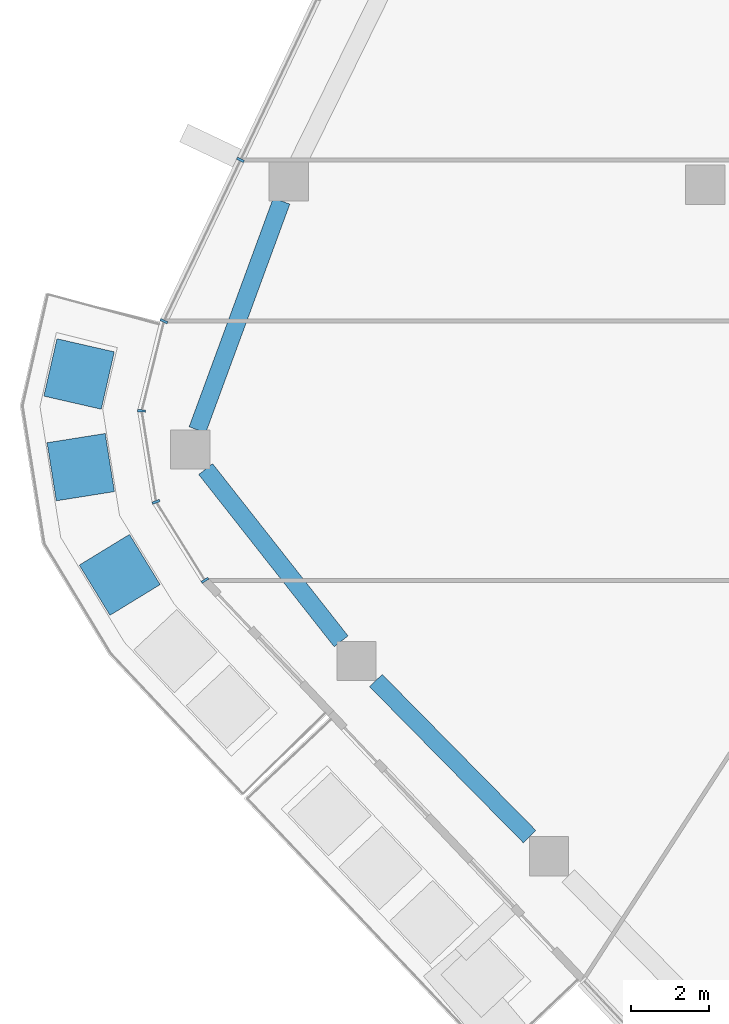
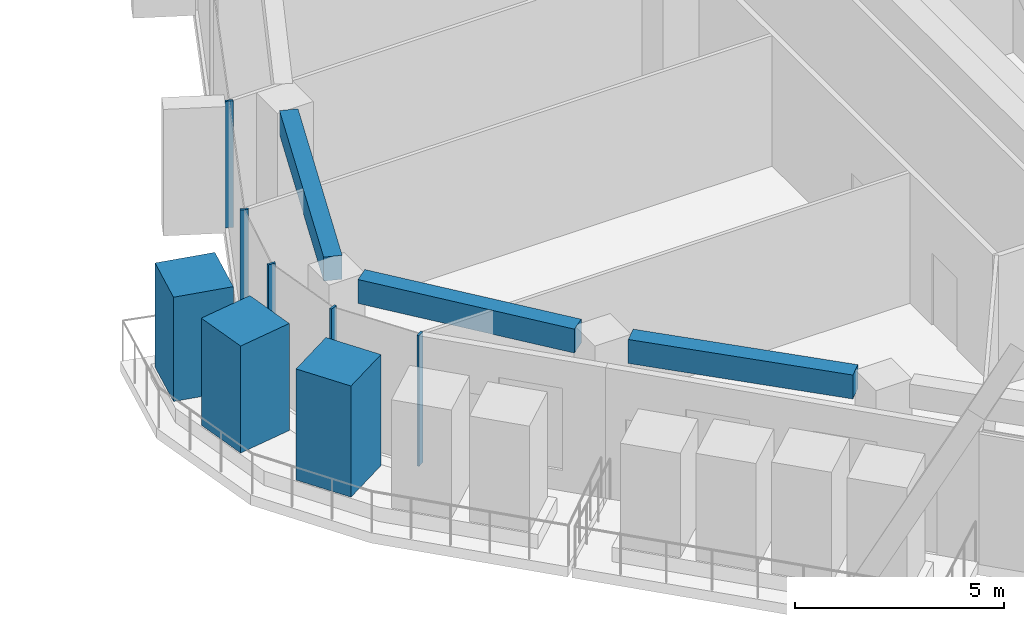
# One storey, part 3 of 24: 8 members, 3 beams, 2 elements without a shape of their own.
"""IFC4 building model written with IfcOpenShell, lengths in metres."""

from ifc_helpers import new_model, si_unit, direction, frame, origin, origin_2d, place, context, subcontext, project, spatial, rectangle, extrude, material, layer, layer_set, material_profile, profile_set, type_object, element, aggregate, save


model = new_model("IFC4")

# Units and contexts
model_context = context("Model", 3, precision=1e-05, world=origin(), true_north=direction((0.0, 1.0)))
body_context = subcontext(model_context, "Body", "Model", "MODEL_VIEW")
ifc_project = project(units=[si_unit("LENGTHUNIT", "METRE"), si_unit("AREAUNIT", "SQUARE_METRE"), si_unit("VOLUMEUNIT", "CUBIC_METRE"), si_unit("PLANEANGLEUNIT", "RADIAN"), si_unit("MASSUNIT", "GRAM", prefix="KILO")], contexts=[model_context])

# Site, building, storey
site_placement = place(None, origin())
site = spatial("IfcSite", under=ifc_project, at=site_placement, CompositionType="ELEMENT")
building_placement = place(site_placement, origin())
building = spatial("IfcBuilding", under=site, at=building_placement, Name="Dongbaek Canopy Tower", CompositionType="ELEMENT")
storey_placement = place(building_placement, frame((0.0, 0.0, 298.39990234375)))
storey = spatial("IfcBuildingStorey", under=building, at=storey_placement, Name="L63", CompositionType="ELEMENT", Elevation=298.39990234375)

# Curtain wall, members
ifc_material_1 = material(Name="Aluminium 6063-T6 pale anodised", Category="aluminium")
ifc_layer = layer(ifc_material_1, 0.199951171875)
ifc_layer_set = layer_set([ifc_layer], Name="CW-1 unitised tower curtain wall")
curtain_wall_type = type_object("IfcCurtainWallType", Name="CW-1 unitised tower curtain wall", PredefinedType="NOTDEFINED", material=ifc_layer_set)
curtain_wall_1_placement = place(storey_placement, origin())
curtain_wall_1 = element("IfcCurtainWall", 1, at=curtain_wall_1_placement, inside=storey, type_object=curtain_wall_type, Name="CW-1 curtain wall F2.1", PredefinedType="NOTDEFINED")
ifc_material_2 = material(Name="Aluminium 6063-T6 pale anodised", Category="aluminium")
ifc_material_profile_1 = material_profile(ifc_material_2, rectangle(XDim=0.199951171875, YDim=0.06005859375, at=origin_2d()), Name="CW-1 mullion 60 x 200")
ifc_profile_set_1 = profile_set([ifc_material_profile_1], Name="Aluminium 6063-T6 pale anodised")
member_type_1 = type_object("IfcMemberType", Name="CW-1 mullion 60 x 200", PredefinedType="MULLION", material=ifc_profile_set_1)
member_1_placement = place(storey_placement, frame((-29.84619140625, 0.635498046875, 0.1201171875), z_axis=(0.0, 0.0, 1.0), x_axis=(-0.903236413866, 0.429143310174, 0.0)))
member_1 = element("IfcMember", 2, at=member_1_placement, type_object=member_type_1, Name="CW-1 mullion F2.1.7", PredefinedType="MULLION", context=body_context, shape_type="SweptSolid", body=[
    extrude(rectangle(XDim=0.199951171875, YDim=0.06005859375, at=origin_2d()), origin(), (0.0, 0.0, 1.0), 3.699951171875),
])
member_2_placement = place(storey_placement, frame((-31.79931640625, -3.47509765625, 0.1201171875), z_axis=(0.0, 0.0, 1.0), x_axis=(-0.903236413866, 0.429143310174, 0.0)))
member_2 = element("IfcMember", 3, at=member_2_placement, type_object=member_type_1, Name="CW-1 mullion F2.1.8", PredefinedType="MULLION", context=body_context, shape_type="SweptSolid", body=[
    extrude(rectangle(XDim=0.199951171875, YDim=0.06005859375, at=origin_2d()), origin(), (0.0, 0.0, 1.0), 3.699951171875),
])
aggregate(curtain_wall_1, [member_1, member_2])

curtain_wall_2_placement = place(storey_placement, origin())
curtain_wall_2 = element("IfcCurtainWall", 4, at=curtain_wall_2_placement, inside=storey, type_object=curtain_wall_type, Name="CW-1 curtain wall K3.1", PredefinedType="NOTDEFINED")
member_3_placement = place(storey_placement, frame((-32.366943359375, -5.761962890625, 0.0), z_axis=(0.0, 0.0, 1.0), x_axis=(-0.999071404332, 0.043085137172, 0.0)))
member_3 = element("IfcMember", 5, at=member_3_placement, type_object=member_type_1, Name="CW-1 mullion K3.1.2", PredefinedType="MULLION", context=body_context, shape_type="SweptSolid", body=[
    extrude(rectangle(XDim=0.199951171875, YDim=0.06005859375, at=origin_2d()), origin(), (0.0, 0.0, 1.0), 3.820068359375),
])
member_4_placement = place(storey_placement, frame((-32.0, -8.0791015625, 0.0), z_axis=(0.0, 0.0, 1.0), x_axis=(-0.936828063749, -0.349790192789, 0.0)))
member_4 = element("IfcMember", 6, at=member_4_placement, type_object=member_type_1, Name="CW-1 mullion K3.1.3", PredefinedType="MULLION", context=body_context, shape_type="SweptSolid", body=[
    extrude(rectangle(XDim=0.199951171875, YDim=0.06005859375, at=origin_2d()), origin(), (0.0, 0.0, 1.0), 3.820068359375),
])
member_5_placement = place(storey_placement, frame((-30.753173828125, -10.07861328125, 0.0), z_axis=(0.0, 0.0, 1.0), x_axis=(-0.848543418091, -0.529125757844, 0.0)))
member_5 = element("IfcMember", 7, at=member_5_placement, type_object=member_type_1, Name="CW-1 mullion K3.1.4", PredefinedType="MULLION", context=body_context, shape_type="SweptSolid", body=[
    extrude(rectangle(XDim=0.199951171875, YDim=0.06005859375, at=origin_2d()), origin(), (0.0, 0.0, 1.0), 3.820068359375),
])
aggregate(curtain_wall_2, [member_3, member_4, member_5])

# Beams
ifc_material_3 = material(Name="Concrete C60", Category="concrete")
ifc_material_profile_2 = material_profile(ifc_material_3, rectangle(XDim=0.449951171875, YDim=0.699951171875, at=origin_2d()), Name="RC EDGE BEAM 450x700 C60")
ifc_profile_set_2 = profile_set([ifc_material_profile_2], Name="Concrete C60")
beam_type = type_object("IfcBeamType", Name="RC EDGE BEAM 450x700 C60", PredefinedType="BEAM", material=ifc_profile_set_2)
beam_1_placement = place(storey_placement, frame((-22.478515625, -16.612060546875, 3.47021484375), z_axis=(-0.701708081315, 0.712464573588, 0.0), x_axis=(-0.712464573588, -0.701708081315, 0.0)))
element("IfcBeam", 8, at=beam_1_placement, inside=storey, type_object=beam_type, Name="EDGEBEAM:L63:06", PredefinedType="BEAM", context=body_context, shape_type="SweptSolid", body=[
    extrude(rectangle(XDim=0.449951171875, YDim=0.699951171875, at=origin_2d()), origin(), (0.0, 0.0, 1.0), 5.58349609375),
])
beam_2_placement = place(storey_placement, frame((-27.282470703125, -11.634033203125, 3.47021484375), z_axis=(-0.618340786972, 0.78591009102, 0.0), x_axis=(-0.78591009102, -0.618340786972, 0.0)))
element("IfcBeam", 9, at=beam_2_placement, inside=storey, type_object=beam_type, Name="EDGEBEAM:L63:07", PredefinedType="BEAM", context=body_context, shape_type="SweptSolid", body=[
    extrude(rectangle(XDim=0.449951171875, YDim=0.699951171875, at=origin_2d()), origin(), (0.0, 0.0, 1.0), 5.58447265625),
])
beam_3_placement = place(storey_placement, frame((-30.945068359375, -6.2451171875, 3.47021484375), z_axis=(0.345138950659, 0.938551599401, 0.0), x_axis=(-0.938551599401, 0.345138950659, 0.0)))
element("IfcBeam", 10, at=beam_3_placement, inside=storey, type_object=beam_type, Name="EDGEBEAM:L63:08", PredefinedType="BEAM", context=body_context, shape_type="SweptSolid", body=[
    extrude(rectangle(XDim=0.449951171875, YDim=0.699951171875, at=origin_2d()), origin(), (0.0, 0.0, 1.0), 6.212890625),
])

# Members
ifc_material_4 = material(Name="Concrete C40/50 planter mass with planting", Category="concrete")
ifc_material_profile_3 = material_profile(ifc_material_4, rectangle(XDim=1.5, YDim=1.5, at=origin_2d()), Name="Terrace PLANTER shrub mass 1500 x 1500")
ifc_profile_set_3 = profile_set([ifc_material_profile_3], Name="Concrete C40/50 planter mass with planting")
member_type_2 = type_object("IfcMemberType", Name="Terrace PLANTER shrub mass 1500 x 1500", PredefinedType="USERDEFINED", material=ifc_profile_set_3)
member_6_placement = place(storey_placement, frame((-33.960205078125, -4.820556640625, 0.420166015625), z_axis=(0.0, 0.0, 1.0), x_axis=(-0.974954789681, 0.222403143141, 0.0)))
element("IfcMember", 11, at=member_6_placement, inside=storey, type_object=member_type_2, Name="Planter shrubs L63 7.1", ObjectType="PLANTER", PredefinedType="USERDEFINED", context=body_context, shape_type="SweptSolid", body=[
    extrude(rectangle(XDim=1.5, YDim=1.5, at=origin_2d()), origin(), (0.0, 0.0, 1.0), 3.050048828125),
])
member_7_placement = place(storey_placement, frame((-33.91796875, -7.195556640625, 0.420166015625), z_axis=(0.0, 0.0, 1.0), x_axis=(-0.987681347325, -0.156478612427, 0.0)))
element("IfcMember", 12, at=member_7_placement, inside=storey, type_object=member_type_2, Name="Planter shrubs L63 7.2", ObjectType="PLANTER", PredefinedType="USERDEFINED", context=body_context, shape_type="SweptSolid", body=[
    extrude(rectangle(XDim=1.5, YDim=1.5, at=origin_2d()), origin(), (0.0, 0.0, 1.0), 3.1298828125),
])
member_8_placement = place(storey_placement, frame((-32.924560546875, -9.939697265625, 0.420166015625), z_axis=(0.0, 0.0, 1.0), x_axis=(-0.853140317648, -0.521681510506, 0.0)))
element("IfcMember", 13, at=member_8_placement, inside=storey, type_object=member_type_2, Name="Planter shrubs L63 7.3", ObjectType="PLANTER", PredefinedType="USERDEFINED", context=body_context, shape_type="SweptSolid", body=[
    extrude(rectangle(XDim=1.5, YDim=1.5, at=origin_2d()), origin(), (0.0, 0.0, 1.0), 3.25),
])

save(model, "model.ifc")
